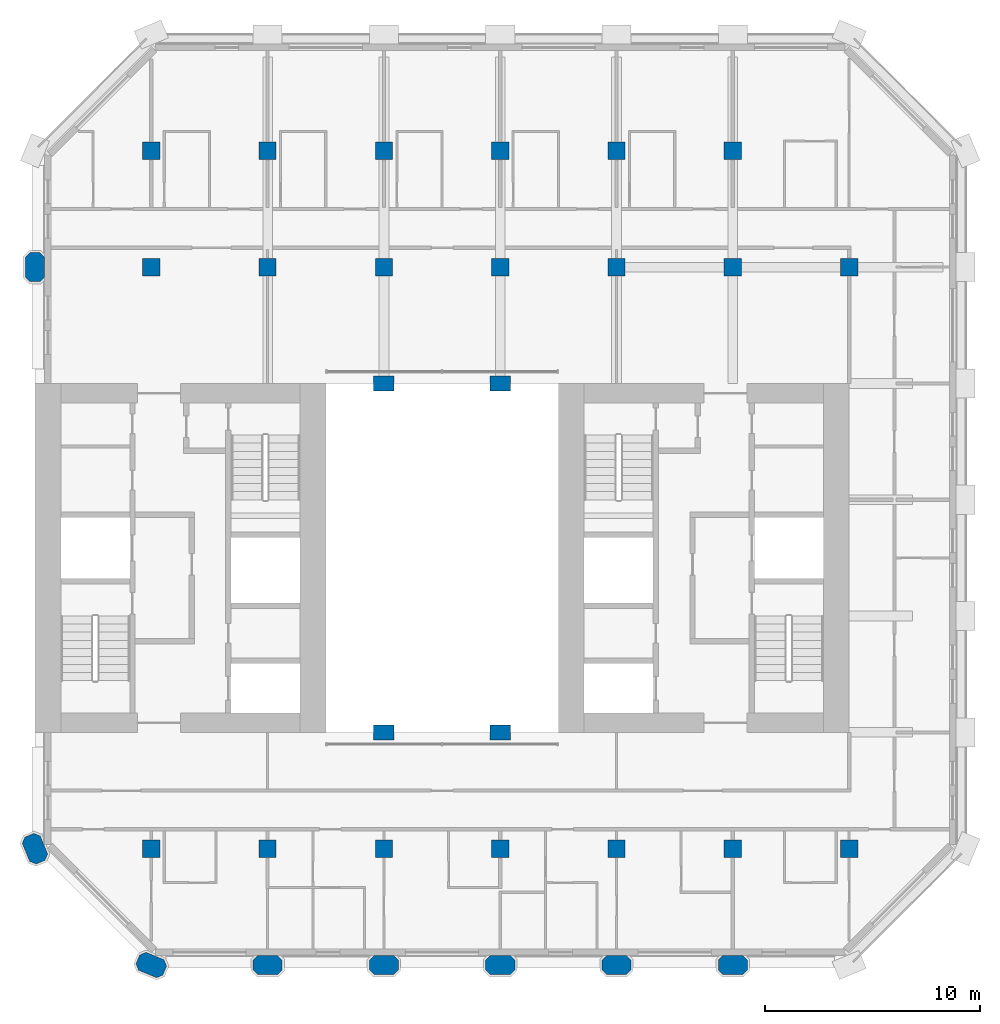
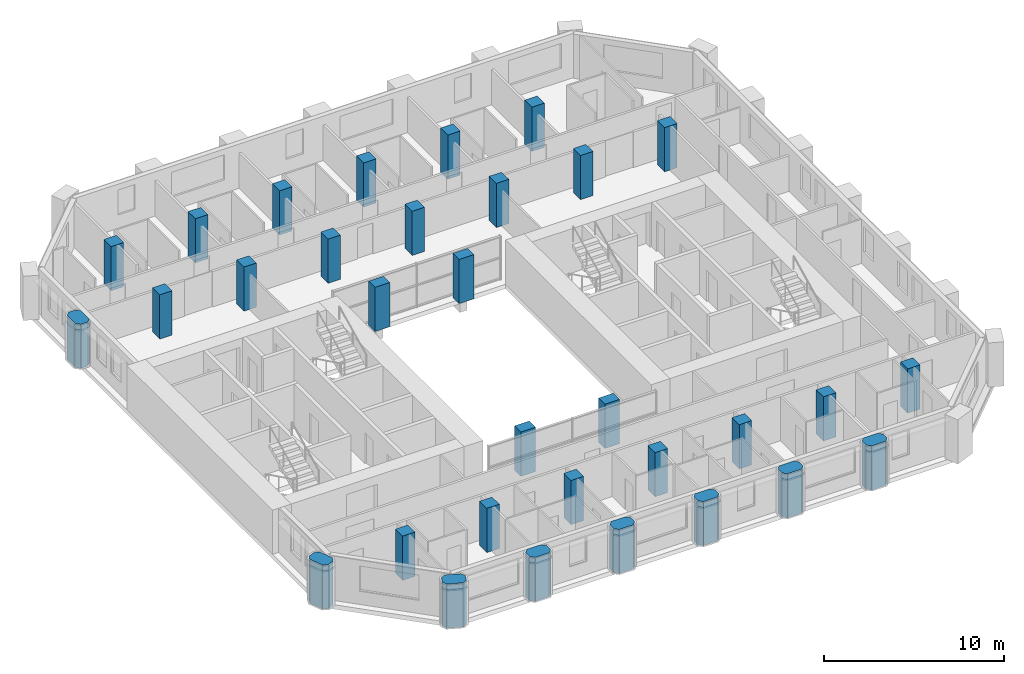
# One storey, part 1 of 12: 32 columns.
"""IFC4 building model written with IfcOpenShell, lengths in metres."""

from ifc_helpers import new_model, si_unit, direction, frame, origin, origin_2d, place, context, subcontext, project, spatial, polyline, rectangle, outline, extrude, material, material_profile, profile_set, type_object, element, save


model = new_model("IFC4")

# Units and contexts
model_context = context("Model", 3, precision=1e-05, world=origin(), true_north=direction((0.0, 1.0)))
body_context = subcontext(model_context, "Body", "Model", "MODEL_VIEW")
ifc_project = project(units=[si_unit("LENGTHUNIT", "METRE"), si_unit("AREAUNIT", "SQUARE_METRE"), si_unit("VOLUMEUNIT", "CUBIC_METRE"), si_unit("PLANEANGLEUNIT", "RADIAN"), si_unit("MASSUNIT", "GRAM", prefix="KILO")], contexts=[model_context])

# Site, building, storey
site_placement = place(None, origin())
site = spatial("IfcSite", under=ifc_project, at=site_placement, CompositionType="ELEMENT")
building_placement = place(site_placement, origin())
building = spatial("IfcBuilding", under=site, at=building_placement, Name="Tabaq Tower and Sports Hall", CompositionType="ELEMENT")
storey_placement = place(building_placement, frame((0.0, 0.0, 187.300048828125)))
storey = spatial("IfcBuildingStorey", under=building, at=storey_placement, Name="L45", CompositionType="ELEMENT", Elevation=187.300048828125)

# Columns
ifc_material_1 = material(Name="Concrete C50/60", Category="concrete")
ifc_material_profile_1 = material_profile(ifc_material_1, rectangle(XDim=0.949951171875, YDim=0.699951171875, at=origin_2d()), Name="ATRIUM COLUMN 950x700")
ifc_profile_set_1 = profile_set([ifc_material_profile_1], Name="Concrete C50/60")
column_type_1 = type_object("IfcColumnType", Name="RC COLUMN ATRIUM COLUMN 950x700 C50/60", PredefinedType="COLUMN", material=ifc_profile_set_1)
for number, where, z_axis, x_axis, name in (
    (1, (21.60009765625, 16.199951171875, 0.0), (0.0, 0.0, 1.0), (1.0, 0.0, 0.0), "Atrium Column 5/D L45"),
    (2, (27.0, 16.199951171875, 0.0), (0.0, 0.0, 1.0), (1.0, 0.0, 0.0), "Atrium Column 6/D L45"),
    (3, (21.60009765625, 32.39990234375, 0.0), (0.0, 0.0, 1.0), (1.0, 0.0, 0.0), "Atrium Column 5/G L45"),
    (4, (27.0, 32.39990234375, 0.0), (0.0, 0.0, 1.0), (1.0, 0.0, 0.0), "Atrium Column 6/G L45"),
):
    element("IfcColumn", number, at=place(storey_placement, frame(where, z_axis=z_axis, x_axis=x_axis)), inside=storey, type_object=column_type_1, Name=name, PredefinedType="COLUMN", context=body_context, shape_type="SweptSolid", body=[
        extrude(rectangle(XDim=0.949951171875, YDim=0.699951171875, at=origin_2d()), origin(), (0.0, 0.0, 1.0), 3.0),
    ])
ifc_material_2 = material(Name="Concrete C50/60", Category="concrete")
ifc_material_profile_2 = material_profile(ifc_material_2, rectangle(XDim=0.800048828125, YDim=0.800048828125, at=origin_2d()), Name="COLUMN 800x800")
ifc_profile_set_2 = profile_set([ifc_material_profile_2], Name="Concrete C50/60")
column_type_2 = type_object("IfcColumnType", Name="RC COLUMN COLUMN 800x800 C50/60", PredefinedType="COLUMN", material=ifc_profile_set_2)
for number, where, z_axis, x_axis, name in (
    (5, (10.800048828125, 10.800048828125, 0.0), (0.0, 0.0, 1.0), (1.0, 0.0, 0.0), "Column 3/C L45"),
    (6, (16.199951171875, 10.800048828125, 0.0), (0.0, 0.0, 1.0), (1.0, 0.0, 0.0), "Column 4/C L45"),
    (7, (21.60009765625, 10.800048828125, 0.0), (0.0, 0.0, 1.0), (1.0, 0.0, 0.0), "Column 5/C L45"),
    (8, (27.0, 10.800048828125, 0.0), (0.0, 0.0, 1.0), (1.0, 0.0, 0.0), "Column 6/C L45"),
    (9, (32.39990234375, 10.800048828125, 0.0), (0.0, 0.0, 1.0), (1.0, 0.0, 0.0), "Column 7/C L45"),
    (10, (37.800048828125, 10.800048828125, 0.0), (0.0, 0.0, 1.0), (1.0, 0.0, 0.0), "Column 8/C L45"),
    (11, (43.199951171875, 10.800048828125, 0.0), (0.0, 0.0, 1.0), (1.0, 0.0, 0.0), "Column 9/C L45"),
    (12, (10.800048828125, 37.800048828125, 0.0), (0.0, 0.0, 1.0), (1.0, 0.0, 0.0), "Column 3/H L45"),
    (13, (16.199951171875, 37.800048828125, 0.0), (0.0, 0.0, 1.0), (1.0, 0.0, 0.0), "Column 4/H L45"),
    (14, (21.60009765625, 37.800048828125, 0.0), (0.0, 0.0, 1.0), (1.0, 0.0, 0.0), "Column 5/H L45"),
    (15, (27.0, 37.800048828125, 0.0), (0.0, 0.0, 1.0), (1.0, 0.0, 0.0), "Column 6/H L45"),
    (16, (32.39990234375, 37.800048828125, 0.0), (0.0, 0.0, 1.0), (1.0, 0.0, 0.0), "Column 7/H L45"),
    (17, (37.800048828125, 37.800048828125, 0.0), (0.0, 0.0, 1.0), (1.0, 0.0, 0.0), "Column 8/H L45"),
    (18, (43.199951171875, 37.800048828125, 0.0), (0.0, 0.0, 1.0), (1.0, 0.0, 0.0), "Column 9/H L45"),
    (19, (10.800048828125, 43.199951171875, 0.0), (0.0, 0.0, 1.0), (1.0, 0.0, 0.0), "Column 3/I L45"),
    (20, (16.199951171875, 43.199951171875, 0.0), (0.0, 0.0, 1.0), (1.0, 0.0, 0.0), "Column 4/I L45"),
    (21, (21.60009765625, 43.199951171875, 0.0), (0.0, 0.0, 1.0), (1.0, 0.0, 0.0), "Column 5/I L45"),
    (22, (27.0, 43.199951171875, 0.0), (0.0, 0.0, 1.0), (1.0, 0.0, 0.0), "Column 6/I L45"),
    (23, (32.39990234375, 43.199951171875, 0.0), (0.0, 0.0, 1.0), (1.0, 0.0, 0.0), "Column 7/I L45"),
    (24, (37.800048828125, 43.199951171875, 0.0), (0.0, 0.0, 1.0), (1.0, 0.0, 0.0), "Column 8/I L45"),
):
    element("IfcColumn", number, at=place(storey_placement, frame(where, z_axis=z_axis, x_axis=x_axis)), inside=storey, type_object=column_type_2, Name=name, PredefinedType="COLUMN", context=body_context, shape_type="SweptSolid", body=[
        extrude(rectangle(XDim=0.800048828125, YDim=0.800048828125, at=origin_2d()), origin(), (0.0, 0.0, 1.0), 3.0),
    ])
ifc_material_3 = material(Name="Concrete C50/60", Category="concrete")
ifc_material_profile_3 = material_profile(ifc_material_3, outline(polyline([(-0.449951171875, -0.449951171875), (0.449951171875, -0.449951171875), (0.675048828125, -0.22509765625), (0.675048828125, 0.22509765625), (0.449951171875, 0.449951171875), (-0.449951171875, 0.449951171875), (-0.675048828125, 0.22509765625), (-0.675048828125, -0.22509765625), (-0.449951171875, -0.449951171875)])), Name="PIER 1350x900")
ifc_profile_set_3 = profile_set([ifc_material_profile_3], Name="Concrete C50/60")
column_type_3 = type_object("IfcColumnType", Name="RC COLUMN PIER 1350x900 C50/60", PredefinedType="COLUMN", material=ifc_profile_set_3)
for number, where, z_axis, x_axis, name in (
    (25, (10.800048828125, 5.39990234375, 0.0), (0.0, 0.0, 1.0), (-0.923879532511, 0.382683432365, 0.0), "Pier 3/B L45"),
    (26, (16.199951171875, 5.39990234375, 0.0), (0.0, 0.0, 1.0), (1.0, 0.0, 0.0), "Pier 4/B L45"),
    (27, (21.60009765625, 5.39990234375, 0.0), (0.0, 0.0, 1.0), (1.0, 0.0, 0.0), "Pier 5/B L45"),
    (28, (27.0, 5.39990234375, 0.0), (0.0, 0.0, 1.0), (1.0, 0.0, 0.0), "Pier 6/B L45"),
    (29, (32.39990234375, 5.39990234375, 0.0), (0.0, 0.0, 1.0), (1.0, 0.0, 0.0), "Pier 7/B L45"),
    (30, (37.800048828125, 5.39990234375, 0.0), (0.0, 0.0, 1.0), (1.0, 0.0, 0.0), "Pier 8/B L45"),
    (31, (5.39990234375, 10.800048828125, 0.0), (0.0, 0.0, 1.0), (-0.382683432365, 0.923879532511, 0.0), "Pier 2/C L45"),
    (32, (5.39990234375, 37.800048828125, 0.0), (0.0, 0.0, 1.0), (0.0, 1.0, 0.0), "Pier 2/H L45"),
):
    element("IfcColumn", number, at=place(storey_placement, frame(where, z_axis=z_axis, x_axis=x_axis)), inside=storey, type_object=column_type_3, Name=name, PredefinedType="COLUMN", context=body_context, shape_type="SweptSolid", body=[
        extrude(outline(polyline([(-0.449951171875, -0.449951171875), (0.449951171875, -0.449951171875), (0.675048828125, -0.22509765625), (0.675048828125, 0.22509765625), (0.449951171875, 0.449951171875), (-0.449951171875, 0.449951171875), (-0.675048828125, 0.22509765625), (-0.675048828125, -0.22509765625), (-0.449951171875, -0.449951171875)])), origin(), (0.0, 0.0, 1.0), 3.0),
    ])

save(model, "model.ifc")
